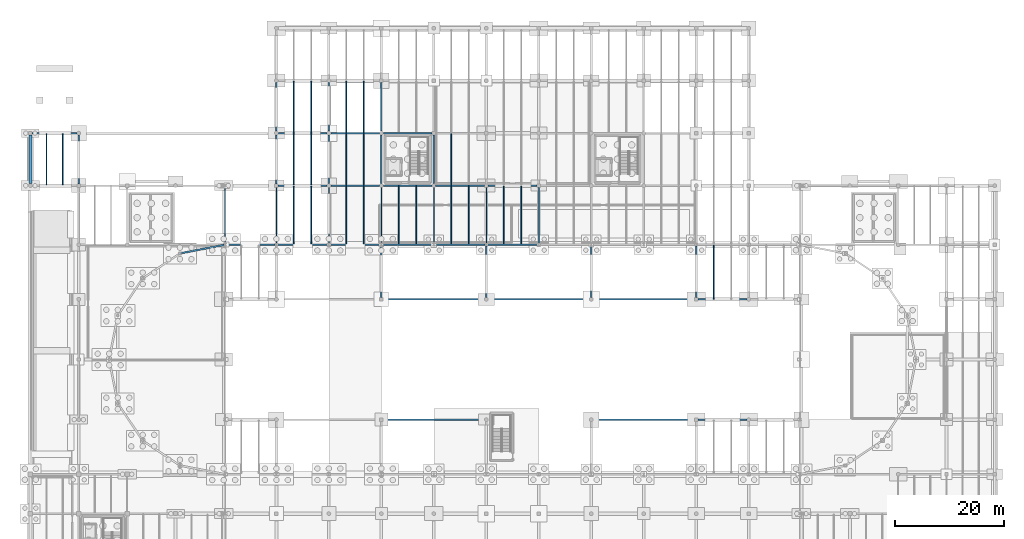
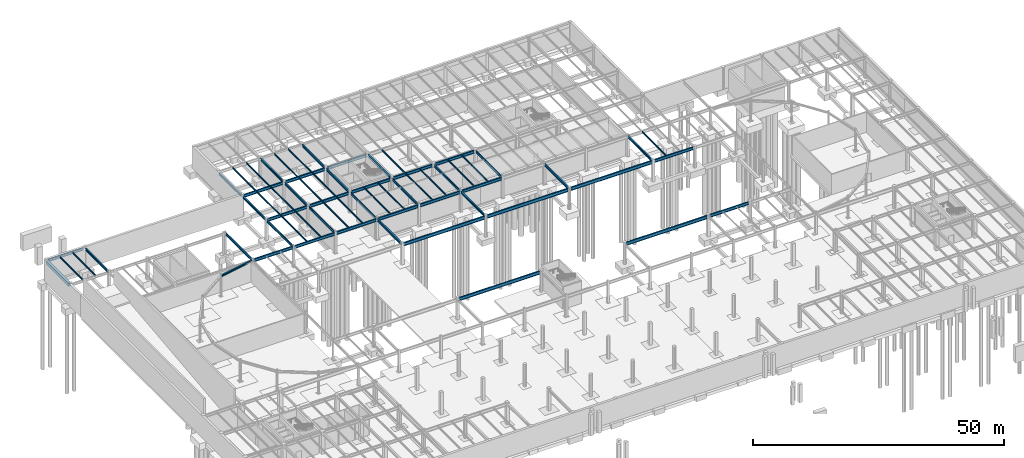
# One storey, part 33 of 50: 65 beams.
"""IFC4 building model written with IfcOpenShell, lengths in metres."""

import ifcopenshell
import ifcopenshell.guid

model = None  # the IFC model being written
_history = None  # IfcOwnerHistory: only IFC2X3 demands one
_inside = {}  # id of a spatial element -> (the spatial element, [elements in it])
_under = {}  # id of a project, library or spatial element -> (it, [spatial elements below it])
_declared = {}  # id of a project -> (the project, [libraries it declares])
_typed = {}  # id of a type object -> (the type object, [elements of that type])
_made_of = {}  # id of a material, layer set ... -> (it, [elements and type objects made of it])


def new_model(schema):
    """Start an empty IFC model of exactly this schema.

    Asked for "IFC4X3", IfcOpenShell would pick the latest addendum, in which some entities
    have other attributes; the version numbers below select the first issue.
    IFC2X3 requires an IfcOwnerHistory on every rooted entity: one is made here for all.
    """
    global model, _history
    if schema == "IFC4X3":
        model = ifcopenshell.file(schema_version=(4, 3, 0, 0))
    else:
        model = ifcopenshell.file(schema=schema)
    _inside.clear()
    _under.clear()
    _declared.clear()
    _typed.clear()
    _made_of.clear()
    _history = None
    if model.schema == "IFC2X3":
        org = make("IfcOrganization", Name="unknown")
        user = make(
            "IfcPersonAndOrganization",
            ThePerson=make("IfcPerson", FamilyName="unknown"),
            TheOrganization=org,
        )
        app = make(
            "IfcApplication",
            ApplicationDeveloper=org,
            Version="unknown",
            ApplicationFullName="unknown",
            ApplicationIdentifier="unknown",
        )
        _history = make(
            "IfcOwnerHistory",
            OwningUser=user,
            OwningApplication=app,
            ChangeAction="ADDED",
            CreationDate=0,
        )
    return model


def make(cls, **values):
    """One entity of the class cls with the attributes given. An attribute that is None is left unset."""
    return model.create_entity(
        cls, **{name: value for name, value in values.items() if value is not None}
    )


def rooted(cls, **values):
    """An entity with a GlobalId (a new one), such as an element, a storey or a relation."""
    return make(cls, GlobalId=ifcopenshell.guid.new(), OwnerHistory=_history, **values)


def si_unit(unit_type, name, prefix=None):
    """IfcSIUnit, for example si_unit("LENGTHUNIT", "METRE", prefix="MILLI")."""
    return make("IfcSIUnit", UnitType=unit_type, Prefix=prefix, Name=name)


def assignment(units):
    """IfcUnitAssignment: the units of a project."""
    return None if units is None else make("IfcUnitAssignment", Units=units)


def point(xyz):
    """IfcCartesianPoint."""
    return None if xyz is None else make("IfcCartesianPoint", Coordinates=xyz)


def direction(xyz):
    """IfcDirection."""
    return None if xyz is None else make("IfcDirection", DirectionRatios=xyz)


def frame(location, z_axis=None, x_axis=None):
    """IfcAxis2Placement3D, a coordinate frame: its origin and axes. An axis left out is left unset."""
    return make(
        "IfcAxis2Placement3D",
        Location=point(location),
        Axis=direction(z_axis),
        RefDirection=direction(x_axis),
    )


def frame_2d(location, x_axis=None):
    """IfcAxis2Placement2D, a coordinate frame in the plane: its origin and x axis."""
    return make(
        "IfcAxis2Placement2D", Location=point(location), RefDirection=direction(x_axis)
    )


def origin():
    """The frame at (0, 0, 0) with its axes left unset."""
    return frame((0.0, 0.0, 0.0))


def origin_2d():
    """The frame at (0, 0) in the plane with its x axis left unset."""
    return frame_2d((0.0, 0.0))


def place(relative_to, where):
    """IfcLocalPlacement: puts the frame where relative to a parent placement (None: the world)."""
    return make(
        "IfcLocalPlacement", PlacementRelTo=relative_to, RelativePlacement=where
    )


def context(
    kind, dimensions, precision=None, world=None, true_north=None, identifier=None
):
    """IfcGeometricRepresentationContext, for example the 3D "Model" context."""
    return make(
        "IfcGeometricRepresentationContext",
        ContextIdentifier=identifier,
        ContextType=kind,
        CoordinateSpaceDimension=dimensions,
        Precision=precision,
        WorldCoordinateSystem=world,
        TrueNorth=true_north,
    )


def subcontext(parent, identifier, kind, view, scale=None):
    """IfcGeometricRepresentationSubContext, for example "Body" below "Model"."""
    return make(
        "IfcGeometricRepresentationSubContext",
        ContextIdentifier=identifier,
        ContextType=kind,
        ParentContext=parent,
        TargetScale=scale,
        TargetView=view,
    )


def project(units=None, contexts=None):
    """IfcProject with its units and contexts."""
    return rooted(
        "IfcProject",
        Name="project",
        RepresentationContexts=contexts,
        UnitsInContext=assignment(units),
    )


def spatial(cls, under=None, at=None, **own):
    """A site, building, storey or space (cls), placed at a placement, below another one or the project."""
    s = rooted(cls, ObjectPlacement=at, **own)
    if under is not None:
        _under.setdefault(under.id(), (under, []))[1].append(s)
    return s


def profile(cls, at=None, kind="AREA", **sizes):
    """A parametric profile (cls). Its sizes go by their IFC names, for example OverallWidth=200.0."""
    return make(cls, ProfileType=kind, Position=at, **sizes)


def rectangle(**sizes):
    """IfcRectangleProfileDef."""
    return profile("IfcRectangleProfileDef", **sizes)


def i_section(**sizes):
    """IfcIShapeProfileDef."""
    return profile("IfcIShapeProfileDef", **sizes)


def extrude(swept, where, along, depth):
    """IfcExtrudedAreaSolid: the profile swept, set in the frame where, extruded along a direction by depth."""
    return make(
        "IfcExtrudedAreaSolid",
        SweptArea=swept,
        Position=where,
        ExtrudedDirection=direction(along),
        Depth=depth,
    )


def shape(context_of_items, identifier, shape_type, items):
    """IfcShapeRepresentation: the items that make up one representation, for example the "Body"."""
    return make(
        "IfcShapeRepresentation",
        ContextOfItems=context_of_items,
        RepresentationIdentifier=identifier,
        RepresentationType=shape_type,
        Items=items,
    )


def material(Name=None, Category=None):
    """IfcMaterial."""
    return make("IfcMaterial", Name=Name, Category=Category)


def material_profile(
    of_material, cross_section, Name=None, Category=None, Priority=None
):
    """IfcMaterialProfile: a cross section and its material."""
    return make(
        "IfcMaterialProfile",
        Name=Name,
        Material=of_material,
        Profile=cross_section,
        Priority=Priority,
        Category=Category,
    )


def profile_set(profiles, Name=None, composite=None):
    """IfcMaterialProfileSet."""
    return make(
        "IfcMaterialProfileSet",
        Name=Name,
        MaterialProfiles=profiles,
        CompositeProfile=composite,
    )


def made_of(thing, what):
    """Note that an element or type object is made of a material, layer set ...; save() writes the relation."""
    if what is not None:
        _made_of.setdefault(what.id(), (what, []))[1].append(thing)
    return thing


def type_object(cls, material=None, **own):
    """A type object (cls), such as IfcWallType, which elements share."""
    return made_of(rooted(cls, **own), material)


def element(
    cls,
    number,
    at=None,
    inside=None,
    cuts=None,
    type_object=None,
    material=None,
    context=None,
    identifier="Body",
    shape_type=None,
    held_by="IfcProductDefinitionShape",
    body=None,
    shapes=None,
    **own,
):
    """One element of the class cls, such as IfcWall. Its Tag is "e" and its number.

    at: its placement. inside: the storey or other place that contains it. cuts: it is an
    opening in that element (IfcRelVoidsElement). A single representation is given by context,
    identifier, shape_type and body (its items); several are given by shapes. held_by: the class
    of the entity that holds the representations. save() writes the other relations.
    """
    e = rooted(cls, Tag="e%d" % number, ObjectPlacement=at, **own)
    if body is not None:
        shapes = [shape(context, identifier, shape_type, body)]
    if shapes is not None:
        e.Representation = make(held_by, Representations=shapes)
    if inside is not None:
        _inside.setdefault(inside.id(), (inside, []))[1].append(e)
    if cuts is not None:
        rooted(
            "IfcRelVoidsElement", RelatingBuildingElement=cuts, RelatedOpeningElement=e
        )
    if type_object is not None:
        _typed.setdefault(type_object.id(), (type_object, []))[1].append(e)
    return made_of(e, material)


def aggregate(whole, parts):
    """IfcRelAggregates: a whole, such as a stair, and the parts it consists of."""
    return rooted("IfcRelAggregates", RelatingObject=whole, RelatedObjects=parts)


def save(model, path):
    """Write the relations noted so far, then the file.

    IfcRelAggregates (storeys below a building ...), IfcRelContainedInSpatialStructure (elements
    in a storey), IfcRelDefinesByType, IfcRelAssociatesMaterial and IfcRelDeclares: one each for
    every whole, place, type object, material and project.
    """
    for whole, parts in _under.values():
        aggregate(whole, parts)
    for where, things in _inside.values():
        rooted(
            "IfcRelContainedInSpatialStructure",
            RelatedElements=things,
            RelatingStructure=where,
        )
    for kind, things in _typed.values():
        rooted("IfcRelDefinesByType", RelatedObjects=things, RelatingType=kind)
    for what, things in _made_of.values():
        rooted("IfcRelAssociatesMaterial", RelatedObjects=things, RelatingMaterial=what)
    for by, libraries in _declared.values():
        rooted("IfcRelDeclares", RelatingContext=by, RelatedDefinitions=libraries)
    model.write(path)


model = new_model("IFC4")

# Units and contexts
model_context = context("Model", 3, precision=1e-05, world=origin(), true_north=direction((0.0, 1.0)))
body_context = subcontext(model_context, "Body", "Model", "MODEL_VIEW")
ifc_project = project(units=[si_unit("LENGTHUNIT", "METRE"), si_unit("AREAUNIT", "SQUARE_METRE"), si_unit("VOLUMEUNIT", "CUBIC_METRE"), si_unit("PLANEANGLEUNIT", "RADIAN"), si_unit("MASSUNIT", "GRAM", prefix="KILO")], contexts=[model_context])

# Site, building, storey
site_placement = place(None, origin())
site = spatial("IfcSite", under=ifc_project, at=site_placement, CompositionType="ELEMENT")
building_placement = place(site_placement, origin())
building = spatial("IfcBuilding", under=site, at=building_placement, Name="Yeouljin Market Hall", CompositionType="ELEMENT")
storey_placement = place(building_placement, frame((0.0, 0.0, -5.39990234375)))
storey = spatial("IfcBuildingStorey", under=building, at=storey_placement, Name="B1", CompositionType="ELEMENT", Elevation=-5.39990234375)

# Beams
ifc_material_1 = material(Name="Steel SM355", Category="steel")
ifc_material_profile_1 = material_profile(ifc_material_1, i_section(OverallWidth=0.300048828125, OverallDepth=0.43994140625, WebThickness=0.010986328125, FlangeThickness=0.01806640625, FilletRadius=0.02001953125, at=origin_2d()), Name="H-440x300x11x18")
ifc_profile_set_1 = profile_set([ifc_material_profile_1], Name="Steel SM355")
beam_type_1 = type_object("IfcBeamType", Name="Beam_H-440x300x11x18", PredefinedType="BEAM", material=ifc_profile_set_1)
beam_1_placement = place(storey_placement, frame((27.56298828125, 76.43994140625, 4.8798828125), z_axis=(0.981854876369, 0.189633862352, 0.0), x_axis=(-0.189633862352, 0.981854876369, 0.0)))
element("IfcBeam", 1, at=beam_1_placement, inside=storey, type_object=beam_type_1, Name="Apse ring beam L00 275", PredefinedType="BEAM", context=body_context, shape_type="SweptSolid", body=[
    extrude(i_section(OverallWidth=0.300048828125, OverallDepth=0.43994140625, WebThickness=0.010986328125, FlangeThickness=0.01806640625, FilletRadius=0.02001953125, at=origin_2d()), origin(), (0.0, 0.0, 1.0), 8.00146484375),
])
ifc_material_2 = material(Name="Steel SM355", Category="steel")
ifc_material_profile_2 = material_profile(ifc_material_2, i_section(OverallWidth=0.199951171875, OverallDepth=0.60009765625, WebThickness=0.010986328125, FlangeThickness=0.01708984375, FilletRadius=0.02197265625, at=origin_2d()), Name="H-600x200x11x17")
ifc_profile_set_2 = profile_set([ifc_material_profile_2], Name="Steel SM355")
beam_type_2 = type_object("IfcBeamType", Name="Beam_H-600x200x11x17", PredefinedType="BEAM", material=ifc_profile_set_2)
beam_2_placement = place(storey_placement, frame((35.614990234375, 78.22509765625, 4.849853515625), z_axis=(0.0, 1.0, 0.0), x_axis=(-1.0, 0.0, 0.0)))
element("IfcBeam", 2, at=beam_2_placement, inside=storey, type_object=beam_type_2, Name="Primary beam BM-L00-Y171", PredefinedType="BEAM", context=body_context, shape_type="SweptSolid", body=[
    extrude(i_section(OverallWidth=0.199951171875, OverallDepth=0.60009765625, WebThickness=0.010986328125, FlangeThickness=0.01708984375, FilletRadius=0.02197265625, at=origin_2d()), origin(), (0.0, 0.0, 1.0), 10.39990234375),
])
beam_3_placement = place(storey_placement, frame((45.0, 78.22509765625, 4.77978515625), z_axis=(0.0, 1.0, 0.0), x_axis=(-1.0, 0.0, 0.0)))
element("IfcBeam", 3, at=beam_3_placement, inside=storey, type_object=beam_type_2, Name="Primary beam BM-L00-Y175", PredefinedType="BEAM", context=body_context, shape_type="SweptSolid", body=[
    extrude(i_section(OverallWidth=0.199951171875, OverallDepth=0.60009765625, WebThickness=0.010986328125, FlangeThickness=0.01708984375, FilletRadius=0.02197265625, at=origin_2d()), origin(), (0.0, 0.0, 1.0), 10.27490234375),
])
for number, where, z_axis, x_axis, name in (
    (4, (54.60009765625, 78.22509765625, 4.77978515625), (0.0, 1.0, 0.0), (-1.0, 0.0, 0.0), "Primary beam BM-L00-Y180"),
    (5, (64.199951171875, 78.22509765625, 4.77978515625), (0.0, 1.0, 0.0), (-1.0, 0.0, 0.0), "Primary beam BM-L00-Y187"),
    (6, (73.800048828125, 78.22509765625, 4.77978515625), (0.0, 1.0, 0.0), (-1.0, 0.0, 0.0), "Primary beam BM-L00-Y191"),
):
    element("IfcBeam", number, at=place(storey_placement, frame(where, z_axis=z_axis, x_axis=x_axis)), inside=storey, type_object=beam_type_2, Name=name, PredefinedType="BEAM", context=body_context, shape_type="SweptSolid", body=[
        extrude(i_section(OverallWidth=0.199951171875, OverallDepth=0.60009765625, WebThickness=0.010986328125, FlangeThickness=0.01708984375, FilletRadius=0.02197265625, at=origin_2d()), origin(), (0.0, 0.0, 1.0), 10.224853515625),
    ])
for number, where, z_axis, x_axis, name in (
    (7, (83.39990234375, 78.22509765625, 4.77978515625), (0.0, 1.0, 0.0), (-1.0, 0.0, 0.0), "Primary beam BM-L00-Y197"),
    (8, (93.0, 78.22509765625, 4.77978515625), (0.0, 1.0, 0.0), (-1.0, 0.0, 0.0), "Primary beam BM-L00-Y201"),
):
    element("IfcBeam", number, at=place(storey_placement, frame(where, z_axis=z_axis, x_axis=x_axis)), inside=storey, type_object=beam_type_2, Name=name, PredefinedType="BEAM", context=body_context, shape_type="SweptSolid", body=[
        extrude(i_section(OverallWidth=0.199951171875, OverallDepth=0.60009765625, WebThickness=0.010986328125, FlangeThickness=0.01708984375, FilletRadius=0.02197265625, at=origin_2d()), origin(), (0.0, 0.0, 1.0), 10.27490234375),
    ])
ifc_material_3 = material(Name="Concrete C30/37", Category="concrete")
ifc_material_profile_3 = material_profile(ifc_material_3, rectangle(XDim=0.5, YDim=0.800048828125, at=origin_2d()), Name="RC-500x800")
ifc_profile_set_3 = profile_set([ifc_material_profile_3], Name="Concrete C30/37")
beam_type_3 = type_object("IfcBeamType", Name="Beam_RC-500x800", PredefinedType="BEAM", material=ifc_profile_set_3)
beam_4_placement = place(storey_placement, frame((0.0, 89.14990234375, 4.679931640625), z_axis=(0.0, 1.0, 0.0), x_axis=(-1.0, 0.0, 0.0)))
element("IfcBeam", 9, at=beam_4_placement, inside=storey, type_object=beam_type_3, Name="Primary beam BM-L00-Y141", PredefinedType="BEAM", context=body_context, shape_type="SweptSolid", body=[
    extrude(rectangle(XDim=0.5, YDim=0.800048828125, at=origin_2d()), origin(), (0.0, 0.0, 1.0), 8.9501953125),
])
ifc_material_4 = material(Name="Steel SM355", Category="steel")
ifc_material_profile_4 = material_profile(ifc_material_4, i_section(OverallWidth=0.300048828125, OverallDepth=0.587890625, WebThickness=0.011962890625, FlangeThickness=0.02001953125, FilletRadius=0.02392578125, at=origin_2d()), Name="H-588x300x12x20")
ifc_profile_set_4 = profile_set([ifc_material_profile_4], Name="Steel SM355")
beam_type_4 = type_object("IfcBeamType", Name="Girder_H-588x300x12x20", PredefinedType="USERDEFINED", material=ifc_profile_set_4)
beam_5_placement = place(storey_placement, frame((0.300048828125, 98.39990234375, 4.785888671875), z_axis=(1.0, 0.0, 0.0), x_axis=(0.0, 1.0, 0.0)))
element("IfcBeam", 10, at=beam_5_placement, inside=storey, type_object=beam_type_4, Name="Primary girder GRD-L00-X109", ObjectType="GIRDER", PredefinedType="USERDEFINED", context=body_context, shape_type="SweptSolid", body=[
    extrude(i_section(OverallWidth=0.300048828125, OverallDepth=0.587890625, WebThickness=0.011962890625, FlangeThickness=0.02001953125, FilletRadius=0.02392578125, at=origin_2d()), origin(), (0.0, 0.0, 1.0), 8.199951171875),
])
for number, where, z_axis, x_axis, name in (
    (11, (8.85009765625, 89.10009765625, 4.785888671875), (0.0, 1.0, 0.0), (-1.0, 0.0, 0.0), "Primary beam BM-L00-Y151"),
    (12, (45.0, 89.10009765625, 4.785888671875), (0.0, 1.0, 0.0), (-1.0, 0.0, 0.0), "Primary beam BM-L00-Y176"),
):
    element("IfcBeam", number, at=place(storey_placement, frame(where, z_axis=z_axis, x_axis=x_axis)), inside=storey, type_object=beam_type_4, Name=name, ObjectType="GIRDER", PredefinedType="USERDEFINED", context=body_context, shape_type="SweptSolid", body=[
        extrude(i_section(OverallWidth=0.300048828125, OverallDepth=0.587890625, WebThickness=0.011962890625, FlangeThickness=0.02001953125, FilletRadius=0.02392578125, at=origin_2d()), origin(), (0.0, 0.0, 1.0), 8.949951171875),
    ])
beam_6_placement = place(storey_placement, frame((45.0, 98.75, 4.785888671875), z_axis=(0.0, 1.0, 0.0), x_axis=(-1.0, 0.0, 0.0)))
element("IfcBeam", 13, at=beam_6_placement, inside=storey, type_object=beam_type_4, Name="Primary beam BM-L00-Y177", ObjectType="GIRDER", PredefinedType="USERDEFINED", context=body_context, shape_type="SweptSolid", body=[
    extrude(i_section(OverallWidth=0.300048828125, OverallDepth=0.587890625, WebThickness=0.011962890625, FlangeThickness=0.02001953125, FilletRadius=0.02392578125, at=origin_2d()), origin(), (0.0, 0.0, 1.0), 8.89990234375),
])
beam_7_placement = place(storey_placement, frame((54.60009765625, 89.14990234375, 4.785888671875), z_axis=(0.0, 1.0, 0.0), x_axis=(-1.0, 0.0, 0.0)))
element("IfcBeam", 14, at=beam_7_placement, inside=storey, type_object=beam_type_4, Name="Primary beam BM-L00-Y181", ObjectType="GIRDER", PredefinedType="USERDEFINED", context=body_context, shape_type="SweptSolid", body=[
    extrude(i_section(OverallWidth=0.300048828125, OverallDepth=0.587890625, WebThickness=0.011962890625, FlangeThickness=0.02001953125, FilletRadius=0.02392578125, at=origin_2d()), origin(), (0.0, 0.0, 1.0), 8.900146484375),
])
beam_8_placement = place(storey_placement, frame((54.60009765625, 98.75, 4.785888671875), z_axis=(0.0, 1.0, 0.0), x_axis=(-1.0, 0.0, 0.0)))
element("IfcBeam", 15, at=beam_8_placement, inside=storey, type_object=beam_type_4, Name="Primary beam BM-L00-Y182", ObjectType="GIRDER", PredefinedType="USERDEFINED", context=body_context, shape_type="SweptSolid", body=[
    extrude(i_section(OverallWidth=0.300048828125, OverallDepth=0.587890625, WebThickness=0.011962890625, FlangeThickness=0.02001953125, FilletRadius=0.02392578125, at=origin_2d()), origin(), (0.0, 0.0, 1.0), 8.89990234375),
])
beam_9_placement = place(storey_placement, frame((64.199951171875, 68.300048828125, 4.825927734375), z_axis=(0.0, 1.0, 0.0), x_axis=(-1.0, 0.0, 0.0)))
element("IfcBeam", 16, at=beam_9_placement, inside=storey, type_object=beam_type_4, Name="Primary beam BM-L00-Y186", ObjectType="GIRDER", PredefinedType="USERDEFINED", context=body_context, shape_type="SweptSolid", body=[
    extrude(i_section(OverallWidth=0.300048828125, OverallDepth=0.587890625, WebThickness=0.011962890625, FlangeThickness=0.02001953125, FilletRadius=0.02392578125, at=origin_2d()), origin(), (0.0, 0.0, 1.0), 9.474853515625),
])
beam_10_placement = place(storey_placement, frame((64.199951171875, 89.14990234375, 4.785888671875), z_axis=(0.0, 1.0, 0.0), x_axis=(-1.0, 0.0, 0.0)))
element("IfcBeam", 17, at=beam_10_placement, inside=storey, type_object=beam_type_4, Name="Primary beam BM-L00-Y188", ObjectType="GIRDER", PredefinedType="USERDEFINED", context=body_context, shape_type="SweptSolid", body=[
    extrude(i_section(OverallWidth=0.300048828125, OverallDepth=0.587890625, WebThickness=0.011962890625, FlangeThickness=0.02001953125, FilletRadius=0.02392578125, at=origin_2d()), origin(), (0.0, 0.0, 1.0), 8.900146484375),
])
beam_11_placement = place(storey_placement, frame((64.199951171875, 98.75, 4.785888671875), z_axis=(0.0, 1.0, 0.0), x_axis=(-1.0, 0.0, 0.0)))
element("IfcBeam", 18, at=beam_11_placement, inside=storey, type_object=beam_type_4, Name="Primary beam BM-L00-Y189", ObjectType="GIRDER", PredefinedType="USERDEFINED", context=body_context, shape_type="SweptSolid", body=[
    extrude(i_section(OverallWidth=0.300048828125, OverallDepth=0.587890625, WebThickness=0.011962890625, FlangeThickness=0.02001953125, FilletRadius=0.02392578125, at=origin_2d()), origin(), (0.0, 0.0, 1.0), 8.949951171875),
])
beam_12_placement = place(storey_placement, frame((73.800048828125, 89.14990234375, 4.785888671875), z_axis=(0.0, 1.0, 0.0), x_axis=(-1.0, 0.0, 0.0)))
element("IfcBeam", 19, at=beam_12_placement, inside=storey, type_object=beam_type_4, Name="Primary beam BM-L00-Y192", ObjectType="GIRDER", PredefinedType="USERDEFINED", context=body_context, shape_type="SweptSolid", body=[
    extrude(i_section(OverallWidth=0.300048828125, OverallDepth=0.587890625, WebThickness=0.011962890625, FlangeThickness=0.02001953125, FilletRadius=0.02392578125, at=origin_2d()), origin(), (0.0, 0.0, 1.0), 8.9501953125),
])
for number, where, z_axis, x_axis, name in (
    (20, (83.39990234375, 68.35009765625, 4.81591796875), (0.0, 1.0, 0.0), (-1.0, 0.0, 0.0), "Primary beam BM-L00-Y196"),
    (21, (102.60009765625, 68.35009765625, 4.81591796875), (0.0, 1.0, 0.0), (-1.0, 0.0, 0.0), "Primary beam BM-L00-Y206"),
):
    element("IfcBeam", number, at=place(storey_placement, frame(where, z_axis=z_axis, x_axis=x_axis)), inside=storey, type_object=beam_type_4, Name=name, ObjectType="GIRDER", PredefinedType="USERDEFINED", context=body_context, shape_type="SweptSolid", body=[
        extrude(i_section(OverallWidth=0.300048828125, OverallDepth=0.587890625, WebThickness=0.011962890625, FlangeThickness=0.02001953125, FilletRadius=0.02392578125, at=origin_2d()), origin(), (0.0, 0.0, 1.0), 9.4248046875),
    ])
beam_13_placement = place(storey_placement, frame((121.800048828125, 68.300048828125, 4.81591796875), z_axis=(0.0, 1.0, 0.0), x_axis=(-1.0, 0.0, 0.0)))
element("IfcBeam", 22, at=beam_13_placement, inside=storey, type_object=beam_type_4, Name="Primary beam BM-L00-Y218", ObjectType="GIRDER", PredefinedType="USERDEFINED", context=body_context, shape_type="SweptSolid", body=[
    extrude(i_section(OverallWidth=0.300048828125, OverallDepth=0.587890625, WebThickness=0.011962890625, FlangeThickness=0.02001953125, FilletRadius=0.02392578125, at=origin_2d()), origin(), (0.0, 0.0, 1.0), 9.474853515625),
])
ifc_material_5 = material(Name="Steel SM355", Category="steel")
ifc_material_profile_5 = material_profile(ifc_material_5, i_section(OverallWidth=0.300048828125, OverallDepth=0.699951171875, WebThickness=0.012939453125, FlangeThickness=0.02392578125, FilletRadius=0.02587890625, at=origin_2d()), Name="H-700x300x13x24")
ifc_profile_set_5 = profile_set([ifc_material_profile_5], Name="Steel SM355")
beam_type_5 = type_object("IfcBeamType", Name="Girder_H-700x300x13x24", PredefinedType="USERDEFINED", material=ifc_profile_set_5)
for number, where, z_axis, x_axis, name in (
    (23, (122.10009765625, 46.0, 4.77001953125), (1.0, 0.0, 0.0), (0.0, 1.0, 0.0), "Primary girder GRD-L00-X064"),
    (24, (122.10009765625, 68.0, 4.77001953125), (1.0, 0.0, 0.0), (0.0, 1.0, 0.0), "Primary girder GRD-L00-X073"),
):
    element("IfcBeam", number, at=place(storey_placement, frame(where, z_axis=z_axis, x_axis=x_axis)), inside=storey, type_object=beam_type_5, Name=name, ObjectType="GIRDER", PredefinedType="USERDEFINED", context=body_context, shape_type="SweptSolid", body=[
        extrude(i_section(OverallWidth=0.300048828125, OverallDepth=0.699951171875, WebThickness=0.012939453125, FlangeThickness=0.02392578125, FilletRadius=0.02587890625, at=origin_2d()), origin(), (0.0, 0.0, 1.0), 8.949951171875),
    ])
beam_14_placement = place(storey_placement, frame((35.864990234375, 78.0, 4.77001953125), z_axis=(1.0, 0.0, 0.0), x_axis=(0.0, 1.0, 0.0)))
element("IfcBeam", 25, at=beam_14_placement, inside=storey, type_object=beam_type_5, Name="Primary girder GRD-L00-X078", ObjectType="GIRDER", PredefinedType="USERDEFINED", context=body_context, shape_type="SweptSolid", body=[
    extrude(i_section(OverallWidth=0.300048828125, OverallDepth=0.699951171875, WebThickness=0.012939453125, FlangeThickness=0.02392578125, FilletRadius=0.02587890625, at=origin_2d()), origin(), (0.0, 0.0, 1.0), 8.909912109375),
])
beam_15_placement = place(storey_placement, frame((45.22509765625, 78.0, 4.72998046875), z_axis=(1.0, 0.0, 0.0), x_axis=(0.0, 1.0, 0.0)))
element("IfcBeam", 26, at=beam_15_placement, inside=storey, type_object=beam_type_5, Name="Primary girder GRD-L00-X079", ObjectType="GIRDER", PredefinedType="USERDEFINED", context=body_context, shape_type="SweptSolid", body=[
    extrude(i_section(OverallWidth=0.300048828125, OverallDepth=0.699951171875, WebThickness=0.012939453125, FlangeThickness=0.02392578125, FilletRadius=0.02587890625, at=origin_2d()), origin(), (0.0, 0.0, 1.0), 9.14990234375),
])
beam_16_placement = place(storey_placement, frame((54.824951171875, 78.0, 4.72998046875), z_axis=(1.0, 0.0, 0.0), x_axis=(0.0, 1.0, 0.0)))
element("IfcBeam", 27, at=beam_16_placement, inside=storey, type_object=beam_type_5, Name="Primary girder GRD-L00-X080", ObjectType="GIRDER", PredefinedType="USERDEFINED", context=body_context, shape_type="SweptSolid", body=[
    extrude(i_section(OverallWidth=0.300048828125, OverallDepth=0.699951171875, WebThickness=0.012939453125, FlangeThickness=0.02392578125, FilletRadius=0.02587890625, at=origin_2d()), origin(), (0.0, 0.0, 1.0), 9.150146484375),
])
beam_17_placement = place(storey_placement, frame((64.425048828125, 78.0, 4.72998046875), z_axis=(1.0, 0.0, 0.0), x_axis=(0.0, 1.0, 0.0)))
element("IfcBeam", 28, at=beam_17_placement, inside=storey, type_object=beam_type_5, Name="Primary girder GRD-L00-X081", ObjectType="GIRDER", PredefinedType="USERDEFINED", context=body_context, shape_type="SweptSolid", body=[
    extrude(i_section(OverallWidth=0.300048828125, OverallDepth=0.699951171875, WebThickness=0.012939453125, FlangeThickness=0.02392578125, FilletRadius=0.02587890625, at=origin_2d()), origin(), (0.0, 0.0, 1.0), 9.14990234375),
])
beam_18_placement = place(storey_placement, frame((74.02490234375, 78.0, 4.72998046875), z_axis=(1.0, 0.0, 0.0), x_axis=(0.0, 1.0, 0.0)))
element("IfcBeam", 29, at=beam_18_placement, inside=storey, type_object=beam_type_5, Name="Primary girder GRD-L00-X082", ObjectType="GIRDER", PredefinedType="USERDEFINED", context=body_context, shape_type="SweptSolid", body=[
    extrude(i_section(OverallWidth=0.300048828125, OverallDepth=0.699951171875, WebThickness=0.012939453125, FlangeThickness=0.02392578125, FilletRadius=0.02587890625, at=origin_2d()), origin(), (0.0, 0.0, 1.0), 9.150146484375),
])
beam_19_placement = place(storey_placement, frame((83.625, 78.0, 4.72998046875), z_axis=(1.0, 0.0, 0.0), x_axis=(0.0, 1.0, 0.0)))
element("IfcBeam", 30, at=beam_19_placement, inside=storey, type_object=beam_type_5, Name="Primary girder GRD-L00-X083", ObjectType="GIRDER", PredefinedType="USERDEFINED", context=body_context, shape_type="SweptSolid", body=[
    extrude(i_section(OverallWidth=0.300048828125, OverallDepth=0.699951171875, WebThickness=0.012939453125, FlangeThickness=0.02392578125, FilletRadius=0.02587890625, at=origin_2d()), origin(), (0.0, 0.0, 1.0), 9.14990234375),
])
beam_20_placement = place(storey_placement, frame((45.300048828125, 88.800048828125, 4.72998046875), z_axis=(1.0, 0.0, 0.0), x_axis=(0.0, 1.0, 0.0)))
element("IfcBeam", 31, at=beam_20_placement, inside=storey, type_object=beam_type_5, Name="Primary girder GRD-L00-X096", ObjectType="GIRDER", PredefinedType="USERDEFINED", context=body_context, shape_type="SweptSolid", body=[
    extrude(i_section(OverallWidth=0.300048828125, OverallDepth=0.699951171875, WebThickness=0.012939453125, FlangeThickness=0.02392578125, FilletRadius=0.02587890625, at=origin_2d()), origin(), (0.0, 0.0, 1.0), 8.949951171875),
])
beam_21_placement = place(storey_placement, frame((54.949951171875, 88.800048828125, 4.72998046875), z_axis=(1.0, 0.0, 0.0), x_axis=(0.0, 1.0, 0.0)))
element("IfcBeam", 32, at=beam_21_placement, inside=storey, type_object=beam_type_5, Name="Primary girder GRD-L00-X097", ObjectType="GIRDER", PredefinedType="USERDEFINED", context=body_context, shape_type="SweptSolid", body=[
    extrude(i_section(OverallWidth=0.300048828125, OverallDepth=0.699951171875, WebThickness=0.012939453125, FlangeThickness=0.02392578125, FilletRadius=0.02587890625, at=origin_2d()), origin(), (0.0, 0.0, 1.0), 8.900146484375),
])
beam_22_placement = place(storey_placement, frame((64.550048828125, 88.800048828125, 4.72998046875), z_axis=(1.0, 0.0, 0.0), x_axis=(0.0, 1.0, 0.0)))
element("IfcBeam", 33, at=beam_22_placement, inside=storey, type_object=beam_type_5, Name="Primary girder GRD-L00-X098", ObjectType="GIRDER", PredefinedType="USERDEFINED", context=body_context, shape_type="SweptSolid", body=[
    extrude(i_section(OverallWidth=0.300048828125, OverallDepth=0.699951171875, WebThickness=0.012939453125, FlangeThickness=0.02392578125, FilletRadius=0.02587890625, at=origin_2d()), origin(), (0.0, 0.0, 1.0), 8.89990234375),
])
beam_23_placement = place(storey_placement, frame((74.14990234375, 88.800048828125, 4.72998046875), z_axis=(1.0, 0.0, 0.0), x_axis=(0.0, 1.0, 0.0)))
element("IfcBeam", 34, at=beam_23_placement, inside=storey, type_object=beam_type_5, Name="Primary girder GRD-L00-X099", ObjectType="GIRDER", PredefinedType="USERDEFINED", context=body_context, shape_type="SweptSolid", body=[
    extrude(i_section(OverallWidth=0.300048828125, OverallDepth=0.699951171875, WebThickness=0.012939453125, FlangeThickness=0.02392578125, FilletRadius=0.02587890625, at=origin_2d()), origin(), (0.0, 0.0, 1.0), 8.9501953125),
])
beam_24_placement = place(storey_placement, frame((83.699951171875, 88.800048828125, 4.72998046875), z_axis=(1.0, 0.0, 0.0), x_axis=(0.0, 1.0, 0.0)))
element("IfcBeam", 35, at=beam_24_placement, inside=storey, type_object=beam_type_5, Name="Primary girder GRD-L00-X100", ObjectType="GIRDER", PredefinedType="USERDEFINED", context=body_context, shape_type="SweptSolid", body=[
    extrude(i_section(OverallWidth=0.300048828125, OverallDepth=0.699951171875, WebThickness=0.012939453125, FlangeThickness=0.02392578125, FilletRadius=0.02587890625, at=origin_2d()), origin(), (0.0, 0.0, 1.0), 9.0),
])
beam_25_placement = place(storey_placement, frame((45.35009765625, 98.39990234375, 4.72998046875), z_axis=(1.0, 0.0, 0.0), x_axis=(0.0, 1.0, 0.0)))
element("IfcBeam", 36, at=beam_25_placement, inside=storey, type_object=beam_type_5, Name="Primary girder GRD-L00-X110", ObjectType="GIRDER", PredefinedType="USERDEFINED", context=body_context, shape_type="SweptSolid", body=[
    extrude(i_section(OverallWidth=0.300048828125, OverallDepth=0.699951171875, WebThickness=0.012939453125, FlangeThickness=0.02392578125, FilletRadius=0.02587890625, at=origin_2d()), origin(), (0.0, 0.0, 1.0), 8.89990234375),
])
beam_26_placement = place(storey_placement, frame((54.949951171875, 98.39990234375, 4.72998046875), z_axis=(1.0, 0.0, 0.0), x_axis=(0.0, 1.0, 0.0)))
element("IfcBeam", 37, at=beam_26_placement, inside=storey, type_object=beam_type_5, Name="Primary girder GRD-L00-X111", ObjectType="GIRDER", PredefinedType="USERDEFINED", context=body_context, shape_type="SweptSolid", body=[
    extrude(i_section(OverallWidth=0.300048828125, OverallDepth=0.699951171875, WebThickness=0.012939453125, FlangeThickness=0.02392578125, FilletRadius=0.02587890625, at=origin_2d()), origin(), (0.0, 0.0, 1.0), 8.900146484375),
])
beam_27_placement = place(storey_placement, frame((64.550048828125, 98.39990234375, 4.72998046875), z_axis=(1.0, 0.0, 0.0), x_axis=(0.0, 1.0, 0.0)))
element("IfcBeam", 38, at=beam_27_placement, inside=storey, type_object=beam_type_5, Name="Primary girder GRD-L00-X112", ObjectType="GIRDER", PredefinedType="USERDEFINED", context=body_context, shape_type="SweptSolid", body=[
    extrude(i_section(OverallWidth=0.300048828125, OverallDepth=0.699951171875, WebThickness=0.012939453125, FlangeThickness=0.02392578125, FilletRadius=0.02587890625, at=origin_2d()), origin(), (0.0, 0.0, 1.0), 8.949951171875),
])
ifc_material_6 = material(Name="Steel SM355", Category="steel")
ifc_material_profile_6 = material_profile(ifc_material_6, i_section(OverallWidth=0.300048828125, OverallDepth=0.800048828125, WebThickness=0.013916015625, FlangeThickness=0.02587890625, FilletRadius=0.028076171875, at=origin_2d()), Name="H-800x300x14x26")
ifc_profile_set_6 = profile_set([ifc_material_profile_6], Name="Steel SM355")
beam_type_6 = type_object("IfcBeamType", Name="Girder_H-800x300x14x26", PredefinedType="USERDEFINED", material=ifc_profile_set_6)
for number, where, z_axis, x_axis, name in (
    (39, (64.5, 46.0, 4.719970703125), (1.0, 0.0, 0.0), (0.0, 1.0, 0.0), "Primary girder GRD-L00-X062"),
    (40, (102.949951171875, 46.0, 4.719970703125), (1.0, 0.0, 0.0), (0.0, 1.0, 0.0), "Primary girder GRD-L00-X063"),
    (41, (64.5, 68.0, 4.7099609375), (1.0, 0.0, 0.0), (0.0, 1.0, 0.0), "Primary girder GRD-L00-X070"),
):
    element("IfcBeam", number, at=place(storey_placement, frame(where, z_axis=z_axis, x_axis=x_axis)), inside=storey, type_object=beam_type_6, Name=name, ObjectType="GIRDER", PredefinedType="USERDEFINED", context=body_context, shape_type="SweptSolid", body=[
        extrude(i_section(OverallWidth=0.300048828125, OverallDepth=0.800048828125, WebThickness=0.013916015625, FlangeThickness=0.02587890625, FilletRadius=0.028076171875, at=origin_2d()), origin(), (0.0, 0.0, 1.0), 18.550048828125),
    ])
beam_28_placement = place(storey_placement, frame((83.75, 68.0, 4.719970703125), z_axis=(1.0, 0.0, 0.0), x_axis=(0.0, 1.0, 0.0)))
element("IfcBeam", 42, at=beam_28_placement, inside=storey, type_object=beam_type_6, Name="Primary girder GRD-L00-X071", ObjectType="GIRDER", PredefinedType="USERDEFINED", context=body_context, shape_type="SweptSolid", body=[
    extrude(i_section(OverallWidth=0.300048828125, OverallDepth=0.800048828125, WebThickness=0.013916015625, FlangeThickness=0.02587890625, FilletRadius=0.028076171875, at=origin_2d()), origin(), (0.0, 0.0, 1.0), 18.5),
])
beam_29_placement = place(storey_placement, frame((102.949951171875, 68.0, 4.7099609375), z_axis=(1.0, 0.0, 0.0), x_axis=(0.0, 1.0, 0.0)))
element("IfcBeam", 43, at=beam_29_placement, inside=storey, type_object=beam_type_6, Name="Primary girder GRD-L00-X072", ObjectType="GIRDER", PredefinedType="USERDEFINED", context=body_context, shape_type="SweptSolid", body=[
    extrude(i_section(OverallWidth=0.300048828125, OverallDepth=0.800048828125, WebThickness=0.013916015625, FlangeThickness=0.02587890625, FilletRadius=0.028076171875, at=origin_2d()), origin(), (0.0, 0.0, 1.0), 18.550048828125),
])
ifc_material_7 = material(Name="Steel SM355", Category="steel")
ifc_material_profile_7 = material_profile(ifc_material_7, i_section(OverallWidth=0.175048828125, OverallDepth=0.35009765625, WebThickness=0.007080078125, FlangeThickness=0.010986328125, FilletRadius=0.013916015625, at=origin_2d()), Name="H-350x175x7x11")
ifc_profile_set_7 = profile_set([ifc_material_profile_7], Name="Steel SM355")
beam_type_7 = type_object("IfcBeamType", Name="Joist_H-350x175x7x11", PredefinedType="JOIST", material=ifc_profile_set_7)
for number, where, z_axis, x_axis, name in (
    (44, (2.949951171875, 88.947021484375, 4.90478515625), (0.0, 1.0, 0.0), (-1.0, 0.0, 0.0), "Secondary floor joist L00-009"),
    (45, (5.89990234375, 88.947021484375, 4.90478515625), (0.0, 1.0, 0.0), (-1.0, 0.0, 0.0), "Secondary floor joist L00-010"),
):
    element("IfcBeam", number, at=place(storey_placement, frame(where, z_axis=z_axis, x_axis=x_axis)), inside=storey, type_object=beam_type_7, Name=name, PredefinedType="JOIST", context=body_context, shape_type="SweptSolid", body=[
        extrude(i_section(OverallWidth=0.175048828125, OverallDepth=0.35009765625, WebThickness=0.007080078125, FlangeThickness=0.010986328125, FilletRadius=0.013916015625, at=origin_2d()), origin(), (0.0, 0.0, 1.0), 9.305908203125),
    ])
for number, where, z_axis, x_axis, name in (
    (46, (48.199951171875, 78.14697265625, 4.90478515625), (0.0, 1.0, 0.0), (-1.0, 0.0, 0.0), "Secondary floor joist L00-039"),
    (47, (51.39990234375, 78.14697265625, 4.90478515625), (0.0, 1.0, 0.0), (-1.0, 0.0, 0.0), "Secondary floor joist L00-040"),
):
    element("IfcBeam", number, at=place(storey_placement, frame(where, z_axis=z_axis, x_axis=x_axis)), inside=storey, type_object=beam_type_7, Name=name, PredefinedType="JOIST", context=body_context, shape_type="SweptSolid", body=[
        extrude(i_section(OverallWidth=0.175048828125, OverallDepth=0.35009765625, WebThickness=0.007080078125, FlangeThickness=0.010986328125, FilletRadius=0.013916015625, at=origin_2d()), origin(), (0.0, 0.0, 1.0), 10.506103515625),
    ])
for number, where, z_axis, x_axis, name in (
    (48, (48.199951171875, 88.947021484375, 4.90478515625), (0.0, 1.0, 0.0), (-1.0, 0.0, 0.0), "Secondary floor joist L00-041"),
    (49, (51.39990234375, 88.947021484375, 4.90478515625), (0.0, 1.0, 0.0), (-1.0, 0.0, 0.0), "Secondary floor joist L00-042"),
):
    element("IfcBeam", number, at=place(storey_placement, frame(where, z_axis=z_axis, x_axis=x_axis)), inside=storey, type_object=beam_type_7, Name=name, PredefinedType="JOIST", context=body_context, shape_type="SweptSolid", body=[
        extrude(i_section(OverallWidth=0.175048828125, OverallDepth=0.35009765625, WebThickness=0.007080078125, FlangeThickness=0.010986328125, FilletRadius=0.013916015625, at=origin_2d()), origin(), (0.0, 0.0, 1.0), 9.305908203125),
    ])
for number, where, z_axis, x_axis, name in (
    (50, (48.199951171875, 98.406005859375, 4.885009765625), (0.0, 1.0, 0.0), (-1.0, 0.0, 0.0), "Secondary floor joist L00-043"),
    (51, (51.39990234375, 98.406005859375, 4.885009765625), (0.0, 1.0, 0.0), (-1.0, 0.0, 0.0), "Secondary floor joist L00-044"),
):
    element("IfcBeam", number, at=place(storey_placement, frame(where, z_axis=z_axis, x_axis=x_axis)), inside=storey, type_object=beam_type_7, Name=name, PredefinedType="JOIST", context=body_context, shape_type="SweptSolid", body=[
        extrude(i_section(OverallWidth=0.175048828125, OverallDepth=0.35009765625, WebThickness=0.007080078125, FlangeThickness=0.010986328125, FilletRadius=0.013916015625, at=origin_2d()), origin(), (0.0, 0.0, 1.0), 9.447021484375),
    ])
for number, where, z_axis, x_axis, name in (
    (52, (57.800048828125, 78.14697265625, 4.90478515625), (0.0, 1.0, 0.0), (-1.0, 0.0, 0.0), "Secondary floor joist L00-047"),
    (53, (61.0, 78.14697265625, 4.90478515625), (0.0, 1.0, 0.0), (-1.0, 0.0, 0.0), "Secondary floor joist L00-048"),
):
    element("IfcBeam", number, at=place(storey_placement, frame(where, z_axis=z_axis, x_axis=x_axis)), inside=storey, type_object=beam_type_7, Name=name, PredefinedType="JOIST", context=body_context, shape_type="SweptSolid", body=[
        extrude(i_section(OverallWidth=0.175048828125, OverallDepth=0.35009765625, WebThickness=0.007080078125, FlangeThickness=0.010986328125, FilletRadius=0.013916015625, at=origin_2d()), origin(), (0.0, 0.0, 1.0), 10.506103515625),
    ])
for number, where, z_axis, x_axis, name in (
    (54, (57.800048828125, 88.947021484375, 4.90478515625), (0.0, 1.0, 0.0), (-1.0, 0.0, 0.0), "Secondary floor joist L00-049"),
    (55, (61.0, 88.947021484375, 4.90478515625), (0.0, 1.0, 0.0), (-1.0, 0.0, 0.0), "Secondary floor joist L00-050"),
    (56, (57.800048828125, 98.547119140625, 4.90478515625), (0.0, 1.0, 0.0), (-1.0, 0.0, 0.0), "Secondary floor joist L00-051"),
    (57, (61.0, 98.547119140625, 4.90478515625), (0.0, 1.0, 0.0), (-1.0, 0.0, 0.0), "Secondary floor joist L00-052"),
):
    element("IfcBeam", number, at=place(storey_placement, frame(where, z_axis=z_axis, x_axis=x_axis)), inside=storey, type_object=beam_type_7, Name=name, PredefinedType="JOIST", context=body_context, shape_type="SweptSolid", body=[
        extrude(i_section(OverallWidth=0.175048828125, OverallDepth=0.35009765625, WebThickness=0.007080078125, FlangeThickness=0.010986328125, FilletRadius=0.013916015625, at=origin_2d()), origin(), (0.0, 0.0, 1.0), 9.305908203125),
    ])
for number, where, z_axis, x_axis, name in (
    (58, (67.39990234375, 78.14697265625, 4.90478515625), (0.0, 1.0, 0.0), (-1.0, 0.0, 0.0), "Secondary floor joist L00-055"),
    (59, (70.60009765625, 78.14697265625, 4.90478515625), (0.0, 1.0, 0.0), (-1.0, 0.0, 0.0), "Secondary floor joist L00-056"),
    (60, (77.0, 78.14697265625, 4.90478515625), (0.0, 1.0, 0.0), (-1.0, 0.0, 0.0), "Secondary floor joist L00-061"),
    (61, (80.199951171875, 78.14697265625, 4.90478515625), (0.0, 1.0, 0.0), (-1.0, 0.0, 0.0), "Secondary floor joist L00-062"),
):
    element("IfcBeam", number, at=place(storey_placement, frame(where, z_axis=z_axis, x_axis=x_axis)), inside=storey, type_object=beam_type_7, Name=name, PredefinedType="JOIST", context=body_context, shape_type="SweptSolid", body=[
        extrude(i_section(OverallWidth=0.175048828125, OverallDepth=0.35009765625, WebThickness=0.007080078125, FlangeThickness=0.010986328125, FilletRadius=0.013916015625, at=origin_2d()), origin(), (0.0, 0.0, 1.0), 10.506103515625),
    ])
beam_30_placement = place(storey_placement, frame((77.0, 88.947021484375, 4.90478515625), z_axis=(0.0, 1.0, 0.0), x_axis=(-1.0, 0.0, 0.0)))
element("IfcBeam", 62, at=beam_30_placement, inside=storey, type_object=beam_type_7, Name="Secondary floor joist L00-063", PredefinedType="JOIST", context=body_context, shape_type="SweptSolid", body=[
    extrude(i_section(OverallWidth=0.175048828125, OverallDepth=0.35009765625, WebThickness=0.007080078125, FlangeThickness=0.010986328125, FilletRadius=0.013916015625, at=origin_2d()), origin(), (0.0, 0.0, 1.0), 9.305908203125),
])
for number, where, z_axis, x_axis, name in (
    (63, (86.60009765625, 78.14697265625, 4.90478515625), (0.0, 1.0, 0.0), (-1.0, 0.0, 0.0), "Secondary floor joist L00-069"),
    (64, (89.800048828125, 78.14697265625, 4.90478515625), (0.0, 1.0, 0.0), (-1.0, 0.0, 0.0), "Secondary floor joist L00-070"),
):
    element("IfcBeam", number, at=place(storey_placement, frame(where, z_axis=z_axis, x_axis=x_axis)), inside=storey, type_object=beam_type_7, Name=name, PredefinedType="JOIST", context=body_context, shape_type="SweptSolid", body=[
        extrude(i_section(OverallWidth=0.175048828125, OverallDepth=0.35009765625, WebThickness=0.007080078125, FlangeThickness=0.010986328125, FilletRadius=0.013916015625, at=origin_2d()), origin(), (0.0, 0.0, 1.0), 10.506103515625),
    ])
beam_31_placement = place(storey_placement, frame((125.0, 68.006103515625, 4.90478515625), z_axis=(0.0, 1.0, 0.0), x_axis=(-1.0, 0.0, 0.0)))
element("IfcBeam", 65, at=beam_31_placement, inside=storey, type_object=beam_type_7, Name="Secondary floor joist L00-103", PredefinedType="JOIST", context=body_context, shape_type="SweptSolid", body=[
    extrude(i_section(OverallWidth=0.175048828125, OverallDepth=0.35009765625, WebThickness=0.007080078125, FlangeThickness=0.010986328125, FilletRadius=0.013916015625, at=origin_2d()), origin(), (0.0, 0.0, 1.0), 9.846923828125),
])

save(model, "model.ifc")
